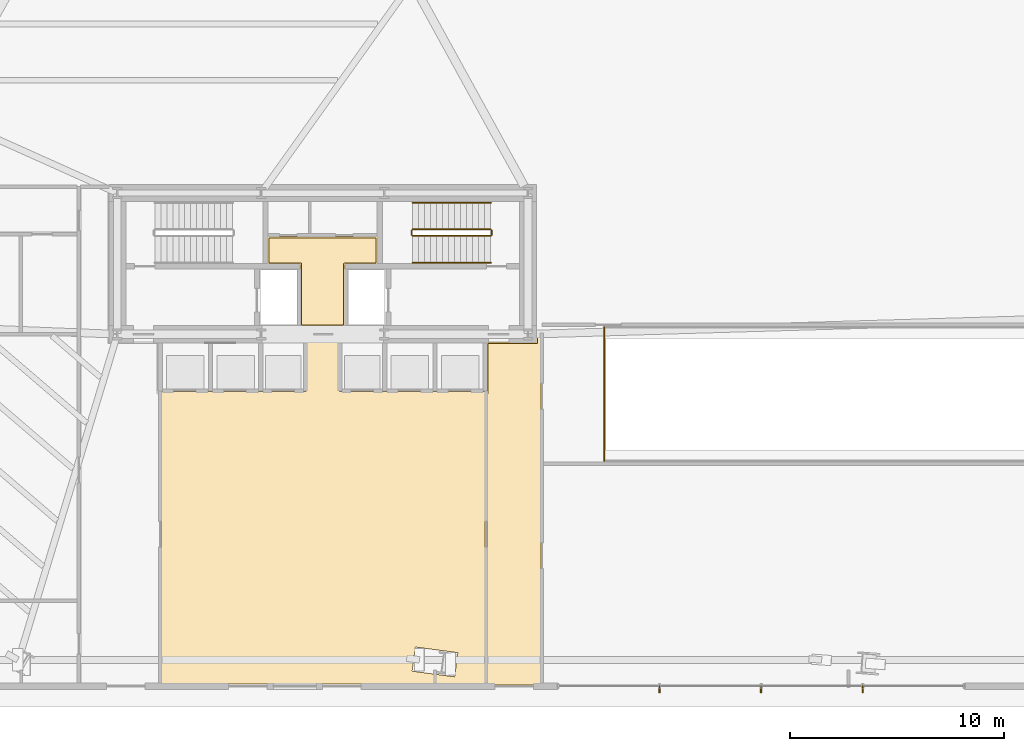
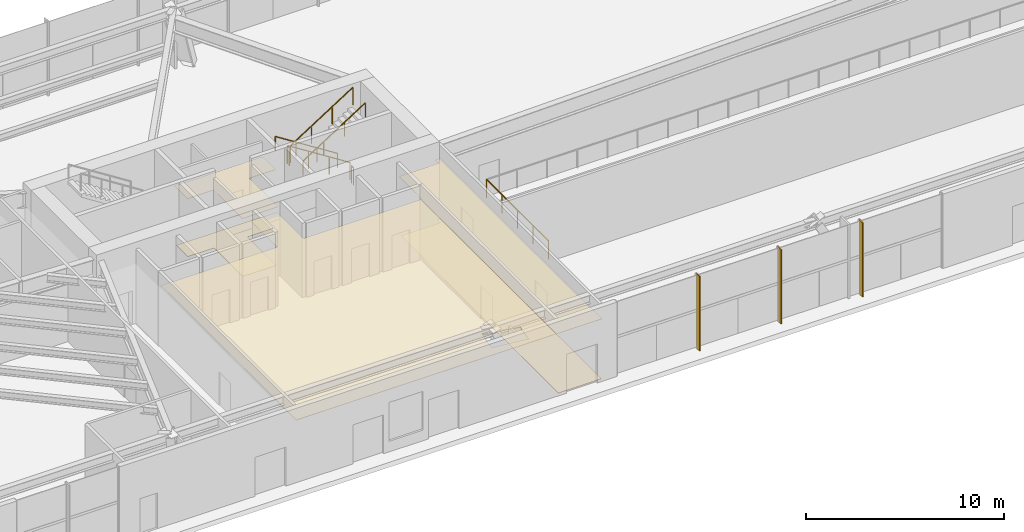
# One storey, part 28 of 31: 7 railings, 5 coverings, 3 shading devices.
"""IFC4 building model written with IfcOpenShell, lengths in metres."""

from ifc_helpers import new_model, si_unit, direction, frame, origin, origin_2d, place, context, subcontext, project, spatial, polyline, rectangle, outline, extrude, source, transform, mapped, material, layer, layer_set, type_object, type_shapes, element, save


model = new_model("IFC4")

# Units and contexts
model_context = context("Model", 3, precision=1e-05, world=origin(), true_north=direction((0.0, 1.0)))
body_context = subcontext(model_context, "Body", "Model", "MODEL_VIEW")
ifc_project = project(units=[si_unit("LENGTHUNIT", "METRE"), si_unit("AREAUNIT", "SQUARE_METRE"), si_unit("VOLUMEUNIT", "CUBIC_METRE"), si_unit("PLANEANGLEUNIT", "RADIAN"), si_unit("MASSUNIT", "GRAM", prefix="KILO")], contexts=[model_context])

# Site, building, storey
site_placement = place(None, origin())
site = spatial("IfcSite", under=ifc_project, at=site_placement, CompositionType="ELEMENT")
building_placement = place(site_placement, origin())
building = spatial("IfcBuilding", under=site, at=building_placement, Name="Astriad Promenade Condominiums", CompositionType="ELEMENT")
storey_placement = place(building_placement, origin())
storey = spatial("IfcBuildingStorey", under=building, at=storey_placement, Name="L00", CompositionType="ELEMENT", Elevation=0.0)

# Coverings
ifc_material_1 = material(Name="Mineral-Fibre Acoustic Ceiling Tile")
ifc_layer_1 = layer(ifc_material_1, 0.02490234375)
ifc_layer_set_1 = layer_set([ifc_layer_1], Name="Mineral-Fibre Acoustic Ceiling Tile")
covering_type_1 = type_object("IfcCoveringType", Name="COV-CEIL-ACOUSTIC-25", PredefinedType="CEILING", material=ifc_layer_set_1)
covering_1_placement = place(storey_placement, frame((0.0, 0.0, 3.635009765625)))
element("IfcCovering", 1, at=covering_1_placement, inside=storey, type_object=covering_type_1, Name="CEIL-L00-CSL", PredefinedType="CEILING", context=body_context, shape_type="SweptSolid", body=[
    extrude(outline(polyline([(37.050048828125, 17.800048828125), (37.0498046875, 17.797119140625), (37.04931640625, 17.794189453125), (37.048583984375, 17.791259765625), (37.047607421875, 17.78857421875), (37.04638671875, 17.785888671875), (37.044921875, 17.783203125), (37.043212890625, 17.781005859375), (37.041259765625, 17.77880859375), (37.0390625, 17.77685546875), (37.03662109375, 17.775146484375), (37.0341796875, 17.7734375), (37.031494140625, 17.772216796875), (37.02880859375, 17.771240234375), (37.02587890625, 17.7705078125), (37.02294921875, 17.77001953125), (37.02001953125, 17.77001953125), (34.97998046875, 17.77001953125), (34.97705078125, 17.77001953125), (34.97412109375, 17.7705078125), (34.97119140625, 17.771240234375), (34.968505859375, 17.772216796875), (34.9658203125, 17.7734375), (34.96337890625, 17.775146484375), (34.9609375, 17.77685546875), (34.958740234375, 17.77880859375), (34.956787109375, 17.781005859375), (34.955078125, 17.783203125), (34.95361328125, 17.785888671875), (34.952392578125, 17.78857421875), (34.951416015625, 17.791259765625), (34.95068359375, 17.794189453125), (34.9501953125, 17.797119140625), (34.949951171875, 17.800048828125), (34.949951171875, 20.669921875), (33.4599609375, 20.669921875), (33.45703125, 20.670166015625), (33.4541015625, 20.670654296875), (33.451416015625, 20.67138671875), (33.448486328125, 20.67236328125), (33.44580078125, 20.673583984375), (33.443359375, 20.675048828125), (33.44091796875, 20.6767578125), (33.438720703125, 20.6787109375), (33.436767578125, 20.680908203125), (33.43505859375, 20.683349609375), (33.43359375, 20.685791015625), (33.432373046875, 20.6884765625), (33.431396484375, 20.69140625), (33.4306640625, 20.694091796875), (33.43017578125, 20.697021484375), (33.429931640625, 20.699951171875), (33.429931640625, 21.949951171875), (33.43017578125, 21.952880859375), (33.4306640625, 21.955810546875), (33.431396484375, 21.958740234375), (33.432373046875, 21.96142578125), (33.43359375, 21.964111328125), (33.43505859375, 21.966796875), (33.436767578125, 21.968994140625), (33.438720703125, 21.97119140625), (33.44091796875, 21.97314453125), (33.443359375, 21.974853515625), (33.44580078125, 21.9765625), (33.448486328125, 21.977783203125), (33.451416015625, 21.978759765625), (33.4541015625, 21.9794921875), (33.45703125, 21.97998046875), (33.4599609375, 21.97998046875), (38.5400390625, 21.97998046875), (38.54296875, 21.97998046875), (38.5458984375, 21.9794921875), (38.548583984375, 21.978759765625), (38.551513671875, 21.977783203125), (38.55419921875, 21.9765625), (38.556640625, 21.974853515625), (38.55908203125, 21.97314453125), (38.561279296875, 21.97119140625), (38.563232421875, 21.968994140625), (38.56494140625, 21.966796875), (38.56640625, 21.964111328125), (38.567626953125, 21.96142578125), (38.568603515625, 21.958740234375), (38.5693359375, 21.955810546875), (38.56982421875, 21.952880859375), (38.570068359375, 21.949951171875), (38.570068359375, 20.699951171875), (38.56982421875, 20.697021484375), (38.5693359375, 20.694091796875), (38.568603515625, 20.69140625), (38.567626953125, 20.6884765625), (38.56640625, 20.685791015625), (38.56494140625, 20.683349609375), (38.563232421875, 20.680908203125), (38.561279296875, 20.6787109375), (38.55908203125, 20.6767578125), (38.556640625, 20.675048828125), (38.55419921875, 20.673583984375), (38.551513671875, 20.67236328125), (38.548583984375, 20.67138671875), (38.5458984375, 20.670654296875), (38.54296875, 20.670166015625), (38.5400390625, 20.669921875), (37.050048828125, 20.669921875), (37.050048828125, 17.800048828125)])), origin(), (0.0, 0.0, 1.0), 0.02490234375),
])
covering_2_placement = place(storey_placement, frame((0.0, 0.0, 3.635009765625)))
element("IfcCovering", 2, at=covering_2_placement, inside=storey, type_object=covering_type_1, Name="CEIL-L00-EXPE", PredefinedType="CEILING", context=body_context, shape_type="SweptSolid", body=[
    extrude(outline(polyline([(46.25, 17.3798828125), (46.2529296875, 17.3798828125), (46.255859375, 17.37939453125), (46.2587890625, 17.378662109375), (46.261474609375, 17.377685546875), (46.26416015625, 17.37646484375), (46.2666015625, 17.375), (46.26904296875, 17.373291015625), (46.271240234375, 17.37109375), (46.273193359375, 17.368896484375), (46.27490234375, 17.36669921875), (46.276611328125, 17.364013671875), (46.277587890625, 17.361572265625), (46.27880859375, 17.358642578125), (46.279296875, 17.35595703125), (46.27978515625, 17.352783203125), (46.280029296875, 17.35009765625), (46.280029296875, 1.050048828125), (43.6201171875, 1.050048828125), (43.6201171875, 14.64990234375), (43.6201171875, 14.65283203125), (43.62060546875, 14.656005859375), (43.621337890625, 14.65869140625), (43.622314453125, 14.66162109375), (43.62353515625, 14.6640625), (43.625, 14.666748046875), (43.626708984375, 14.6689453125), (43.62890625, 14.671142578125), (43.631103515625, 14.673095703125), (43.63330078125, 14.6748046875), (43.635986328125, 14.676513671875), (43.638427734375, 14.677734375), (43.641357421875, 14.6787109375), (43.64404296875, 14.679443359375), (43.647216796875, 14.679931640625), (43.64990234375, 14.679931640625), (43.669921875, 14.679931640625), (43.669921875, 17.0), (43.670166015625, 17.0029296875), (43.670654296875, 17.005859375), (43.67138671875, 17.0087890625), (43.67236328125, 17.011474609375), (43.673583984375, 17.01416015625), (43.675048828125, 17.0166015625), (43.6767578125, 17.01904296875), (43.6787109375, 17.021240234375), (43.680908203125, 17.023193359375), (43.683349609375, 17.02490234375), (43.685791015625, 17.026611328125), (43.6884765625, 17.027587890625), (43.69140625, 17.02880859375), (43.694091796875, 17.029296875), (43.697021484375, 17.02978515625), (43.699951171875, 17.030029296875), (45.969970703125, 17.030029296875), (45.969970703125, 17.35009765625), (45.97021484375, 17.352783203125), (45.970703125, 17.35595703125), (45.97119140625, 17.358642578125), (45.972412109375, 17.361572265625), (45.973388671875, 17.364013671875), (45.97509765625, 17.36669921875), (45.976806640625, 17.368896484375), (45.978759765625, 17.37109375), (45.98095703125, 17.373291015625), (45.9833984375, 17.375), (45.98583984375, 17.37646484375), (45.988525390625, 17.377685546875), (45.9912109375, 17.378662109375), (45.994140625, 17.37939453125), (45.9970703125, 17.3798828125), (46.0, 17.3798828125), (46.25, 17.3798828125)])), origin(), (0.0, 0.0, 1.0), 0.02490234375),
])
covering_3_placement = place(storey_placement, frame((0.0, 0.0, 3.635009765625)))
element("IfcCovering", 3, at=covering_3_placement, inside=storey, type_object=covering_type_1, Name="CEIL-L00-LOB", PredefinedType="CEILING", context=body_context, shape_type="SweptSolid", body=[
    extrude(outline(polyline([(43.60595703125, 14.7294921875), (43.608642578125, 14.728759765625), (43.611572265625, 14.727783203125), (43.614013671875, 14.7265625), (43.61669921875, 14.724853515625), (43.618896484375, 14.72314453125), (43.62109375, 14.72119140625), (43.623291015625, 14.718994140625), (43.625, 14.716796875), (43.62646484375, 14.714111328125), (43.627685546875, 14.71142578125), (43.628662109375, 14.708740234375), (43.62939453125, 14.705810546875), (43.6298828125, 14.702880859375), (43.6298828125, 14.699951171875), (43.6298828125, 14.69580078125), (43.6298828125, 14.69580078125), (43.627197265625, 14.694580078125), (43.62548828125, 14.693603515625), (43.623046875, 14.692138671875), (43.621337890625, 14.69091796875), (43.619140625, 14.689208984375), (43.617431640625, 14.68798828125), (43.615478515625, 14.68603515625), (43.614013671875, 14.6845703125), (43.612060546875, 14.6826171875), (43.610595703125, 14.680908203125), (43.60888671875, 14.6787109375), (43.60791015625, 14.677001953125), (43.6064453125, 14.67431640625), (43.60546875, 14.672607421875), (43.604248046875, 14.669921875), (43.603515625, 14.668212890625), (43.6025390625, 14.665283203125), (43.601806640625, 14.66357421875), (43.601318359375, 14.66064453125), (43.600830078125, 14.65869140625), (43.600341796875, 14.656005859375), (43.60009765625, 14.65380859375), (43.60009765625, 14.65087890625), (43.60009765625, 14.64990234375), (43.60009765625, 1.050048828125), (28.449951171875, 1.050048828125), (28.449951171875, 14.64990234375), (28.449951171875, 14.65087890625), (28.44970703125, 14.65380859375), (28.44970703125, 14.656005859375), (28.44921875, 14.65869140625), (28.44873046875, 14.66064453125), (28.447998046875, 14.66357421875), (28.447509765625, 14.665283203125), (28.446533203125, 14.668212890625), (28.44580078125, 14.669921875), (28.444580078125, 14.672607421875), (28.443603515625, 14.67431640625), (28.442138671875, 14.677001953125), (28.44091796875, 14.6787109375), (28.439208984375, 14.680908203125), (28.43798828125, 14.6826171875), (28.43603515625, 14.6845703125), (28.4345703125, 14.68603515625), (28.4326171875, 14.68798828125), (28.430908203125, 14.689208984375), (28.4287109375, 14.69091796875), (28.427001953125, 14.692138671875), (28.42431640625, 14.693603515625), (28.422607421875, 14.694580078125), (28.419921875, 14.69580078125), (28.419921875, 14.69580078125), (28.419921875, 14.699951171875), (28.420166015625, 14.702880859375), (28.420654296875, 14.705810546875), (28.42138671875, 14.708740234375), (28.42236328125, 14.71142578125), (28.423583984375, 14.714111328125), (28.425048828125, 14.716796875), (28.4267578125, 14.718994140625), (28.4287109375, 14.72119140625), (28.430908203125, 14.72314453125), (28.433349609375, 14.724853515625), (28.435791015625, 14.7265625), (28.4384765625, 14.727783203125), (28.44140625, 14.728759765625), (28.444091796875, 14.7294921875), (28.447021484375, 14.72998046875), (28.449951171875, 14.72998046875), (35.219970703125, 14.72998046875), (35.219970703125, 17.35009765625), (35.22021484375, 17.352783203125), (35.220703125, 17.35595703125), (35.22119140625, 17.358642578125), (35.222412109375, 17.361572265625), (35.223388671875, 17.364013671875), (35.22509765625, 17.36669921875), (35.226806640625, 17.368896484375), (35.228759765625, 17.37109375), (35.23095703125, 17.373291015625), (35.2333984375, 17.375), (35.23583984375, 17.37646484375), (35.238525390625, 17.377685546875), (35.2412109375, 17.378662109375), (35.244140625, 17.37939453125), (35.2470703125, 17.3798828125), (35.25, 17.3798828125), (36.75, 17.3798828125), (36.7529296875, 17.3798828125), (36.755859375, 17.37939453125), (36.7587890625, 17.378662109375), (36.761474609375, 17.377685546875), (36.76416015625, 17.37646484375), (36.7666015625, 17.375), (36.76904296875, 17.373291015625), (36.771240234375, 17.37109375), (36.773193359375, 17.368896484375), (36.77490234375, 17.36669921875), (36.776611328125, 17.364013671875), (36.777587890625, 17.361572265625), (36.77880859375, 17.358642578125), (36.779296875, 17.35595703125), (36.77978515625, 17.352783203125), (36.780029296875, 17.35009765625), (36.780029296875, 14.72998046875), (43.60009765625, 14.72998046875), (43.602783203125, 14.72998046875), (43.60595703125, 14.7294921875)]), holes=[polyline([(40.8076171875, 2.714599609375), (40.33154296875, 2.778076171875), (40.1806640625, 1.64697265625), (41.6923828125, 1.4453125), (42.16845703125, 1.3818359375), (42.3193359375, 2.512939453125), (40.8076171875, 2.714599609375)])]), origin(), (0.0, 0.0, 1.0), 0.02490234375),
])
ifc_material_2 = material(Name="Polished Lakefront Terrazzo Flooring")
ifc_layer_2 = layer(ifc_material_2, 0.02001953125)
ifc_layer_set_2 = layer_set([ifc_layer_2], Name="Polished Lakefront Terrazzo Flooring")
covering_type_2 = type_object("IfcCoveringType", Name="COV-FLOR-TERRAZZO-20", PredefinedType="FLOORING", material=ifc_layer_set_2)
covering_4_placement = place(storey_placement, origin())
element("IfcCovering", 4, at=covering_4_placement, inside=storey, type_object=covering_type_2, Name="FLR-L00-CSL", PredefinedType="FLOORING", context=body_context, shape_type="SweptSolid", body=[
    extrude(outline(polyline([(36.97998046875, 20.699951171875), (36.97998046875, 17.840087890625), (35.02001953125, 17.840087890625), (35.02001953125, 20.699951171875), (35.019775390625, 20.703857421875), (35.019287109375, 20.707763671875), (35.018310546875, 20.711669921875), (35.01708984375, 20.71533203125), (35.015380859375, 20.718994140625), (35.01318359375, 20.72216796875), (35.010986328125, 20.725341796875), (35.00830078125, 20.728271484375), (35.00537109375, 20.73095703125), (35.002197265625, 20.7333984375), (34.998779296875, 20.7353515625), (34.995361328125, 20.737060546875), (34.99169921875, 20.73828125), (34.98779296875, 20.7392578125), (34.98388671875, 20.73974609375), (34.97998046875, 20.739990234375), (33.5, 20.739990234375), (33.5, 21.909912109375), (38.5, 21.909912109375), (38.5, 20.739990234375), (37.02001953125, 20.739990234375), (37.01611328125, 20.73974609375), (37.01220703125, 20.7392578125), (37.00830078125, 20.73828125), (37.004638671875, 20.737060546875), (37.001220703125, 20.7353515625), (36.997802734375, 20.7333984375), (36.99462890625, 20.73095703125), (36.99169921875, 20.728271484375), (36.989013671875, 20.725341796875), (36.98681640625, 20.72216796875), (36.984619140625, 20.718994140625), (36.98291015625, 20.71533203125), (36.981689453125, 20.711669921875), (36.980712890625, 20.707763671875), (36.980224609375, 20.703857421875), (36.97998046875, 20.699951171875)])), origin(), (0.0, 0.0, 1.0), 0.02001953125),
])
covering_5_placement = place(storey_placement, origin())
element("IfcCovering", 5, at=covering_5_placement, inside=storey, type_object=covering_type_2, Name="FLR-L00-EXPE", PredefinedType="FLOORING", context=body_context, shape_type="SweptSolid", body=[
    extrude(outline(polyline([(46.0400390625, 17.31005859375), (46.2099609375, 17.31005859375), (46.2099609375, 0.989990234375), (43.68994140625, 0.989990234375), (43.68994140625, 14.610107421875), (43.699951171875, 14.610107421875), (43.703857421875, 14.610107421875), (43.707763671875, 14.61083984375), (43.711669921875, 14.61181640625), (43.71533203125, 14.613037109375), (43.718994140625, 14.61474609375), (43.72216796875, 14.61669921875), (43.725341796875, 14.619140625), (43.728271484375, 14.62158203125), (43.73095703125, 14.62451171875), (43.7333984375, 14.627685546875), (43.7353515625, 14.631103515625), (43.737060546875, 14.634765625), (43.73828125, 14.638427734375), (43.7392578125, 14.64208984375), (43.73974609375, 14.64599609375), (43.739990234375, 14.64990234375), (43.739990234375, 16.9599609375), (46.0, 16.9599609375), (46.00390625, 16.960205078125), (46.0078125, 16.960693359375), (46.01171875, 16.961669921875), (46.015380859375, 16.962890625), (46.018798828125, 16.964599609375), (46.022216796875, 16.966796875), (46.025390625, 16.968994140625), (46.0283203125, 16.9716796875), (46.031005859375, 16.974609375), (46.033203125, 16.977783203125), (46.035400390625, 16.981201171875), (46.037109375, 16.984619140625), (46.038330078125, 16.98828125), (46.039306640625, 16.9921875), (46.039794921875, 16.99609375), (46.0400390625, 17.0), (46.0400390625, 17.31005859375)])), origin(), (0.0, 0.0, 1.0), 0.02001953125),
])

# Railing
ifc_material_3 = material(Name="Anodised Aluminium and Glass Terrace Guardrail", Category="aluminium")
railing_type_1 = type_object("IfcRailingType", Name="GRD-TERR-1150", PredefinedType="GUARDRAIL", material=ifc_material_3)
shared_shape_1 = source(origin(), body_context, "Body", "SweptSolid", [
    extrude(rectangle(XDim=0.048095703125, YDim=0.048095703125, at=origin_2d()), frame((0.0, 0.0, 1.1259765625), z_axis=(0.0, 1.0, 0.0), x_axis=(-1.0, 0.0, 0.0)), (0.0, 0.0, 1.0), 6.239990234375),
    extrude(rectangle(XDim=0.0419921875, YDim=0.0419921875, at=origin_2d()), origin(), (0.0, 0.0, 1.0), 1.101806640625),
    extrude(rectangle(XDim=0.0419921875, YDim=0.0419921875, at=origin_2d()), frame((0.0, 1.56005859375, 0.0)), (0.0, 0.0, 1.0), 1.101806640625),
    extrude(rectangle(XDim=0.0419921875, YDim=0.0419921875, at=origin_2d()), frame((0.0, 3.1201171875, 0.0)), (0.0, 0.0, 1.0), 1.101806640625),
    extrude(rectangle(XDim=0.0419921875, YDim=0.0419921875, at=origin_2d()), frame((0.0, 4.679931640625, 0.0)), (0.0, 0.0, 1.0), 1.101806640625),
    extrude(rectangle(XDim=0.0419921875, YDim=0.0419921875, at=origin_2d()), frame((0.0, 6.239990234375, 0.0)), (0.0, 0.0, 1.0), 1.101806640625),
])
type_shapes(railing_type_1, [shared_shape_1])
railing_1_placement = place(storey_placement, frame((49.169921875, 11.47998046875, 0.0)))
element("IfcRailing", 6, at=railing_1_placement, inside=storey, type_object=railing_type_1, Name="GRD-RAMP-L00-W", PredefinedType="GUARDRAIL", context=body_context, shape_type="MappedRepresentation", body=[
    mapped(shared_shape_1, transform((0.0, 0.0, 0.0), scale=1.0)),
])

# Shading devices
ifc_material_4 = material(Name="Anodised aluminium 6063-T6 Black Fin", Category="aluminium")
shading_device_type = type_object("IfcShadingDeviceType", Name="FIN-BLACK-320", PredefinedType="USERDEFINED", material=ifc_material_4)
shared_shape_2 = source(origin(), body_context, "Body", "SweptSolid", [
    extrude(rectangle(XDim=0.06494140625, YDim=0.320068359375, at=origin_2d()), origin(), (0.0, 0.0, 1.0), 4.580078125),
])
type_shapes(shading_device_type, [shared_shape_2])
for number, where, z_axis, x_axis, name in (
    (7, (61.25, 0.81005859375, 0.0), (0.0, 0.0, 1.0), (-1.0, 0.0, 0.0), "CW-L00-SE-FIN-01"),
    (8, (56.5, 0.81005859375, 0.0), (0.0, 0.0, 1.0), (-1.0, 0.0, 0.0), "CW-L00-SE-FIN-02"),
    (9, (51.75, 0.81005859375, 0.0), (0.0, 0.0, 1.0), (-1.0, 0.0, 0.0), "CW-L00-SE-FIN-03"),
):
    element("IfcShadingDevice", number, at=place(storey_placement, frame(where, z_axis=z_axis, x_axis=x_axis)), inside=storey, type_object=shading_device_type, Name=name, ObjectType="FIN", PredefinedType="USERDEFINED", context=body_context, shape_type="MappedRepresentation", body=[
        mapped(shared_shape_2, transform((0.0, 0.0, 0.0), scale=1.0)),
    ])

# Railings
ifc_material_5 = material(Name="Painted Galvanised Steel Guardrail", Category="steel")
railing_type_2 = type_object("IfcRailingType", Name="GRD-STAIR-1100", PredefinedType="GUARDRAIL", material=ifc_material_5)
shared_shape_3 = source(origin(), body_context, "Body", "SweptSolid", [
    extrude(rectangle(XDim=0.048095703125, YDim=0.048095703125, at=origin_2d()), frame((0.0, 0.0, 1.076171875), z_axis=(0.843127859045, 0.0, 0.537713132908), x_axis=(0.0, 1.0, 0.0)), (0.0, 0.0, 1.0), 4.3173828125),
    extrude(rectangle(XDim=0.0419921875, YDim=0.0419921875, at=origin_2d()), origin(), (0.0, 0.0, 1.0), 1.052001953125),
    extrude(rectangle(XDim=0.0419921875, YDim=0.0419921875, at=origin_2d()), frame((1.21337890625, 0.0, 0.77392578125)), (0.0, 0.0, 1.0), 1.052001953125),
    extrude(rectangle(XDim=0.0419921875, YDim=0.0419921875, at=origin_2d()), frame((2.4267578125, 0.0, 1.547607421875)), (0.0, 0.0, 1.0), 1.052001953125),
    extrude(rectangle(XDim=0.0419921875, YDim=0.0419921875, at=origin_2d()), frame((3.64013671875, 0.0, 2.321533203125)), (0.0, 0.0, 1.0), 1.052001953125),
])
railing_2_placement = place(storey_placement, frame((40.2099609375, 22.0, 2.678466796875)))
element("IfcRailing", 10, at=railing_2_placement, inside=storey, type_object=railing_type_2, Name="L00 ST-2 stair guard 3", PredefinedType="GUARDRAIL", context=body_context, shape_type="MappedRepresentation", body=[
    mapped(shared_shape_3, transform((0.0, 0.0, 0.0), scale=1.0)),
])
shared_shape_4 = source(origin(), body_context, "Body", "SweptSolid", [
    extrude(rectangle(XDim=0.048095703125, YDim=0.048095703125, at=origin_2d()), frame((0.0, 0.0, 1.076171875), z_axis=(-0.843127859045, 0.0, 0.537713132908), x_axis=(0.0, -1.0, 0.0)), (0.0, 0.0, 1.0), 4.3173828125),
    extrude(rectangle(XDim=0.0419921875, YDim=0.0419921875, at=origin_2d()), origin(), (0.0, 0.0, 1.0), 1.052001953125),
    extrude(rectangle(XDim=0.0419921875, YDim=0.0419921875, at=origin_2d()), frame((-1.21337890625, 0.0, 0.77392578125)), (0.0, 0.0, 1.0), 1.052001953125),
    extrude(rectangle(XDim=0.0419921875, YDim=0.0419921875, at=origin_2d()), frame((-2.4267578125, 0.0, 1.547607421875)), (0.0, 0.0, 1.0), 1.052001953125),
    extrude(rectangle(XDim=0.0419921875, YDim=0.0419921875, at=origin_2d()), frame((-3.64013671875, 0.0, 2.321533203125)), (0.0, 0.0, 1.0), 1.052001953125),
])
railing_3_placement = place(storey_placement, frame((43.85009765625, 22.300048828125, 0.178466796875)))
element("IfcRailing", 11, at=railing_3_placement, inside=storey, type_object=railing_type_2, Name="L00 ST-2 stair guard 1", PredefinedType="GUARDRAIL", context=body_context, shape_type="MappedRepresentation", body=[
    mapped(shared_shape_4, transform((0.0, 0.0, 0.0), scale=1.0)),
])
ifc_material_6 = material(Name="Brushed Stainless Steel Handrail", Category="steel")
railing_type_3 = type_object("IfcRailingType", Name="HRL-STAIR-920", PredefinedType="HANDRAIL", material=ifc_material_6)
shared_shape_5 = source(origin(), body_context, "Body", "SweptSolid", [
    extrude(rectangle(XDim=0.048095703125, YDim=0.048095703125, at=origin_2d()), frame((0.0, 0.0, 0.8759765625), z_axis=(0.843127859045, 0.0, 0.537713132908), x_axis=(0.0, 1.0, 0.0)), (0.0, 0.0, 1.0), 4.3173828125),
    extrude(rectangle(XDim=0.0419921875, YDim=0.0419921875, at=origin_2d()), origin(), (0.0, 0.0, 1.0), 0.851806640625),
    extrude(rectangle(XDim=0.0419921875, YDim=0.0419921875, at=origin_2d()), frame((1.21337890625, 0.0, 0.77392578125)), (0.0, 0.0, 1.0), 0.851806640625),
    extrude(rectangle(XDim=0.0419921875, YDim=0.0419921875, at=origin_2d()), frame((2.4267578125, 0.0, 1.547607421875)), (0.0, 0.0, 1.0), 0.851806640625),
    extrude(rectangle(XDim=0.0419921875, YDim=0.0419921875, at=origin_2d()), frame((3.64013671875, 0.0, 2.321533203125)), (0.0, 0.0, 1.0), 0.851806640625),
])
railing_4_placement = place(storey_placement, frame((40.2099609375, 20.75, 2.678466796875)))
element("IfcRailing", 12, at=railing_4_placement, inside=storey, type_object=railing_type_3, Name="L00 ST-2 stair handrail 2", PredefinedType="HANDRAIL", context=body_context, shape_type="MappedRepresentation", body=[
    mapped(shared_shape_5, transform((0.0, 0.0, 0.0), scale=1.0)),
])
shared_shape_6 = source(origin(), body_context, "Body", "SweptSolid", [
    extrude(rectangle(XDim=0.048095703125, YDim=0.048095703125, at=origin_2d()), frame((0.0, 0.0, 0.8759765625), z_axis=(-0.843127859045, 0.0, 0.537713132908), x_axis=(0.0, -1.0, 0.0)), (0.0, 0.0, 1.0), 4.3173828125),
    extrude(rectangle(XDim=0.0419921875, YDim=0.0419921875, at=origin_2d()), origin(), (0.0, 0.0, 1.0), 0.851806640625),
    extrude(rectangle(XDim=0.0419921875, YDim=0.0419921875, at=origin_2d()), frame((-1.21337890625, 0.0, 0.77392578125)), (0.0, 0.0, 1.0), 0.851806640625),
    extrude(rectangle(XDim=0.0419921875, YDim=0.0419921875, at=origin_2d()), frame((-2.4267578125, 0.0, 1.547607421875)), (0.0, 0.0, 1.0), 0.851806640625),
    extrude(rectangle(XDim=0.0419921875, YDim=0.0419921875, at=origin_2d()), frame((-3.64013671875, 0.0, 2.321533203125)), (0.0, 0.0, 1.0), 0.851806640625),
])
type_shapes(railing_type_3, [shared_shape_5, shared_shape_6])
railing_5_placement = place(storey_placement, frame((43.85009765625, 23.550048828125, 0.178466796875)))
element("IfcRailing", 13, at=railing_5_placement, inside=storey, type_object=railing_type_3, Name="L00 ST-2 stair handrail 1", PredefinedType="HANDRAIL", context=body_context, shape_type="MappedRepresentation", body=[
    mapped(shared_shape_6, transform((0.0, 0.0, 0.0), scale=1.0)),
])
shared_shape_7 = source(origin(), body_context, "Body", "SweptSolid", [
    extrude(rectangle(XDim=0.048095703125, YDim=0.048095703125, at=origin_2d()), frame((0.0, 0.0, 1.076171875), z_axis=(0.0, -1.0, 0.0), x_axis=(1.0, 0.0, 0.0)), (0.0, 0.0, 1.0), 0.199951171875),
    extrude(rectangle(XDim=0.0419921875, YDim=0.0419921875, at=origin_2d()), origin(), (0.0, 0.0, 1.0), 1.052001953125),
    extrude(rectangle(XDim=0.0419921875, YDim=0.0419921875, at=origin_2d()), frame((0.0, -0.199951171875, 0.0)), (0.0, 0.0, 1.0), 1.052001953125),
])
type_shapes(railing_type_2, [shared_shape_3, shared_shape_4, shared_shape_7])
for number, where, name in (
    (14, (40.159912109375, 22.25, 2.5), "L00 ST-2 stair guard 2"),
    (15, (43.89990234375, 22.25, 0.0), "L00 ST-2 stair guard 4"),
):
    element("IfcRailing", number, at=place(storey_placement, frame(where)), inside=storey, type_object=railing_type_2, Name=name, PredefinedType="GUARDRAIL", context=body_context, shape_type="MappedRepresentation", body=[
        mapped(shared_shape_7, transform((0.0, 0.0, 0.0), scale=1.0)),
    ])

save(model, "model.ifc")
